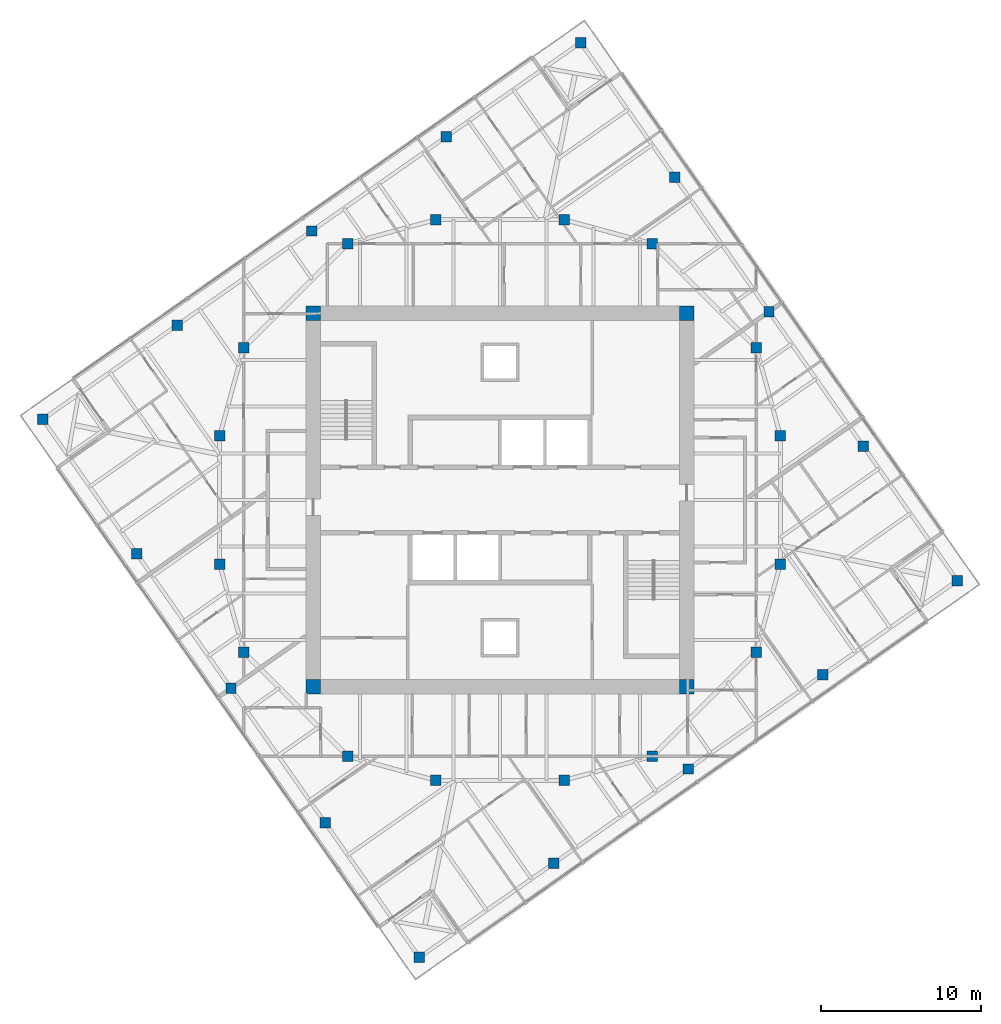
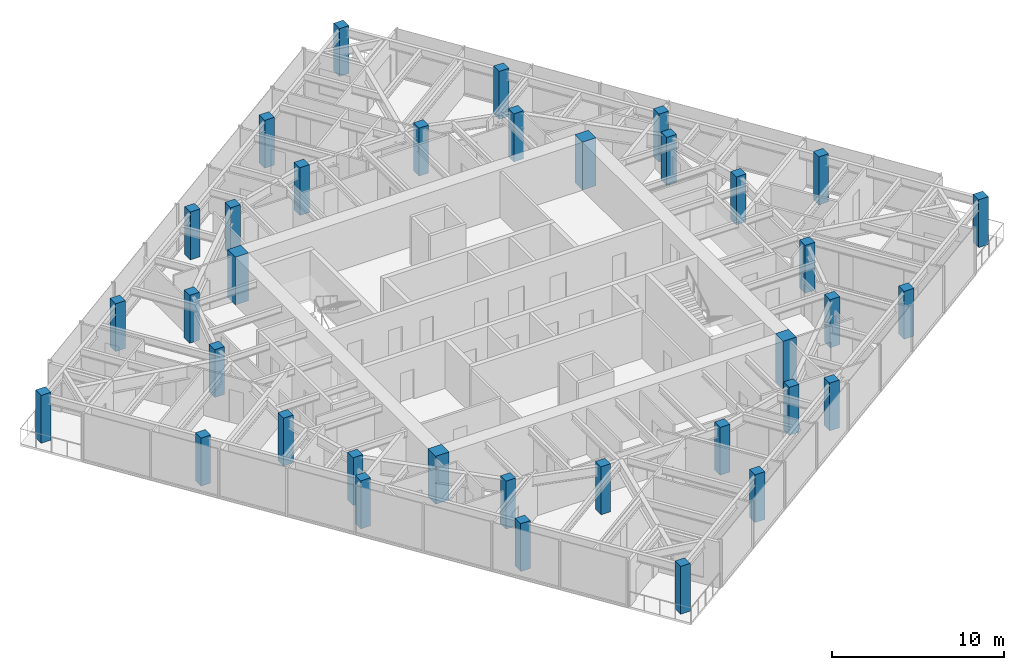
# One storey, part 1 of 12: 36 columns.
"""IFC4 building model written with IfcOpenShell, lengths in metres."""

import ifcopenshell
import ifcopenshell.guid

model = None  # the IFC model being written
_history = None  # IfcOwnerHistory: only IFC2X3 demands one
_inside = {}  # id of a spatial element -> (the spatial element, [elements in it])
_under = {}  # id of a project, library or spatial element -> (it, [spatial elements below it])
_declared = {}  # id of a project -> (the project, [libraries it declares])
_typed = {}  # id of a type object -> (the type object, [elements of that type])
_made_of = {}  # id of a material, layer set ... -> (it, [elements and type objects made of it])


def new_model(schema):
    """Start an empty IFC model of exactly this schema.

    Asked for "IFC4X3", IfcOpenShell would pick the latest addendum, in which some entities
    have other attributes; the version numbers below select the first issue.
    IFC2X3 requires an IfcOwnerHistory on every rooted entity: one is made here for all.
    """
    global model, _history
    if schema == "IFC4X3":
        model = ifcopenshell.file(schema_version=(4, 3, 0, 0))
    else:
        model = ifcopenshell.file(schema=schema)
    _inside.clear()
    _under.clear()
    _declared.clear()
    _typed.clear()
    _made_of.clear()
    _history = None
    if model.schema == "IFC2X3":
        org = make("IfcOrganization", Name="unknown")
        user = make(
            "IfcPersonAndOrganization",
            ThePerson=make("IfcPerson", FamilyName="unknown"),
            TheOrganization=org,
        )
        app = make(
            "IfcApplication",
            ApplicationDeveloper=org,
            Version="unknown",
            ApplicationFullName="unknown",
            ApplicationIdentifier="unknown",
        )
        _history = make(
            "IfcOwnerHistory",
            OwningUser=user,
            OwningApplication=app,
            ChangeAction="ADDED",
            CreationDate=0,
        )
    return model


def make(cls, **values):
    """One entity of the class cls with the attributes given. An attribute that is None is left unset."""
    return model.create_entity(
        cls, **{name: value for name, value in values.items() if value is not None}
    )


def rooted(cls, **values):
    """An entity with a GlobalId (a new one), such as an element, a storey or a relation."""
    return make(cls, GlobalId=ifcopenshell.guid.new(), OwnerHistory=_history, **values)


def si_unit(unit_type, name, prefix=None):
    """IfcSIUnit, for example si_unit("LENGTHUNIT", "METRE", prefix="MILLI")."""
    return make("IfcSIUnit", UnitType=unit_type, Prefix=prefix, Name=name)


def assignment(units):
    """IfcUnitAssignment: the units of a project."""
    return None if units is None else make("IfcUnitAssignment", Units=units)


def point(xyz):
    """IfcCartesianPoint."""
    return None if xyz is None else make("IfcCartesianPoint", Coordinates=xyz)


def direction(xyz):
    """IfcDirection."""
    return None if xyz is None else make("IfcDirection", DirectionRatios=xyz)


def frame(location, z_axis=None, x_axis=None):
    """IfcAxis2Placement3D, a coordinate frame: its origin and axes. An axis left out is left unset."""
    return make(
        "IfcAxis2Placement3D",
        Location=point(location),
        Axis=direction(z_axis),
        RefDirection=direction(x_axis),
    )


def frame_2d(location, x_axis=None):
    """IfcAxis2Placement2D, a coordinate frame in the plane: its origin and x axis."""
    return make(
        "IfcAxis2Placement2D", Location=point(location), RefDirection=direction(x_axis)
    )


def origin():
    """The frame at (0, 0, 0) with its axes left unset."""
    return frame((0.0, 0.0, 0.0))


def origin_2d():
    """The frame at (0, 0) in the plane with its x axis left unset."""
    return frame_2d((0.0, 0.0))


def place(relative_to, where):
    """IfcLocalPlacement: puts the frame where relative to a parent placement (None: the world)."""
    return make(
        "IfcLocalPlacement", PlacementRelTo=relative_to, RelativePlacement=where
    )


def context(
    kind, dimensions, precision=None, world=None, true_north=None, identifier=None
):
    """IfcGeometricRepresentationContext, for example the 3D "Model" context."""
    return make(
        "IfcGeometricRepresentationContext",
        ContextIdentifier=identifier,
        ContextType=kind,
        CoordinateSpaceDimension=dimensions,
        Precision=precision,
        WorldCoordinateSystem=world,
        TrueNorth=true_north,
    )


def subcontext(parent, identifier, kind, view, scale=None):
    """IfcGeometricRepresentationSubContext, for example "Body" below "Model"."""
    return make(
        "IfcGeometricRepresentationSubContext",
        ContextIdentifier=identifier,
        ContextType=kind,
        ParentContext=parent,
        TargetScale=scale,
        TargetView=view,
    )


def project(units=None, contexts=None):
    """IfcProject with its units and contexts."""
    return rooted(
        "IfcProject",
        Name="project",
        RepresentationContexts=contexts,
        UnitsInContext=assignment(units),
    )


def spatial(cls, under=None, at=None, **own):
    """A site, building, storey or space (cls), placed at a placement, below another one or the project."""
    s = rooted(cls, ObjectPlacement=at, **own)
    if under is not None:
        _under.setdefault(under.id(), (under, []))[1].append(s)
    return s


def profile(cls, at=None, kind="AREA", **sizes):
    """A parametric profile (cls). Its sizes go by their IFC names, for example OverallWidth=200.0."""
    return make(cls, ProfileType=kind, Position=at, **sizes)


def rectangle(**sizes):
    """IfcRectangleProfileDef."""
    return profile("IfcRectangleProfileDef", **sizes)


def extrude(swept, where, along, depth):
    """IfcExtrudedAreaSolid: the profile swept, set in the frame where, extruded along a direction by depth."""
    return make(
        "IfcExtrudedAreaSolid",
        SweptArea=swept,
        Position=where,
        ExtrudedDirection=direction(along),
        Depth=depth,
    )


def shape(context_of_items, identifier, shape_type, items):
    """IfcShapeRepresentation: the items that make up one representation, for example the "Body"."""
    return make(
        "IfcShapeRepresentation",
        ContextOfItems=context_of_items,
        RepresentationIdentifier=identifier,
        RepresentationType=shape_type,
        Items=items,
    )


def material(Name=None, Category=None):
    """IfcMaterial."""
    return make("IfcMaterial", Name=Name, Category=Category)


def material_profile(
    of_material, cross_section, Name=None, Category=None, Priority=None
):
    """IfcMaterialProfile: a cross section and its material."""
    return make(
        "IfcMaterialProfile",
        Name=Name,
        Material=of_material,
        Profile=cross_section,
        Priority=Priority,
        Category=Category,
    )


def profile_set(profiles, Name=None, composite=None):
    """IfcMaterialProfileSet."""
    return make(
        "IfcMaterialProfileSet",
        Name=Name,
        MaterialProfiles=profiles,
        CompositeProfile=composite,
    )


def made_of(thing, what):
    """Note that an element or type object is made of a material, layer set ...; save() writes the relation."""
    if what is not None:
        _made_of.setdefault(what.id(), (what, []))[1].append(thing)
    return thing


def type_object(cls, material=None, **own):
    """A type object (cls), such as IfcWallType, which elements share."""
    return made_of(rooted(cls, **own), material)


def element(
    cls,
    number,
    at=None,
    inside=None,
    cuts=None,
    type_object=None,
    material=None,
    context=None,
    identifier="Body",
    shape_type=None,
    held_by="IfcProductDefinitionShape",
    body=None,
    shapes=None,
    **own,
):
    """One element of the class cls, such as IfcWall. Its Tag is "e" and its number.

    at: its placement. inside: the storey or other place that contains it. cuts: it is an
    opening in that element (IfcRelVoidsElement). A single representation is given by context,
    identifier, shape_type and body (its items); several are given by shapes. held_by: the class
    of the entity that holds the representations. save() writes the other relations.
    """
    e = rooted(cls, Tag="e%d" % number, ObjectPlacement=at, **own)
    if body is not None:
        shapes = [shape(context, identifier, shape_type, body)]
    if shapes is not None:
        e.Representation = make(held_by, Representations=shapes)
    if inside is not None:
        _inside.setdefault(inside.id(), (inside, []))[1].append(e)
    if cuts is not None:
        rooted(
            "IfcRelVoidsElement", RelatingBuildingElement=cuts, RelatedOpeningElement=e
        )
    if type_object is not None:
        _typed.setdefault(type_object.id(), (type_object, []))[1].append(e)
    return made_of(e, material)


def aggregate(whole, parts):
    """IfcRelAggregates: a whole, such as a stair, and the parts it consists of."""
    return rooted("IfcRelAggregates", RelatingObject=whole, RelatedObjects=parts)


def save(model, path):
    """Write the relations noted so far, then the file.

    IfcRelAggregates (storeys below a building ...), IfcRelContainedInSpatialStructure (elements
    in a storey), IfcRelDefinesByType, IfcRelAssociatesMaterial and IfcRelDeclares: one each for
    every whole, place, type object, material and project.
    """
    for whole, parts in _under.values():
        aggregate(whole, parts)
    for where, things in _inside.values():
        rooted(
            "IfcRelContainedInSpatialStructure",
            RelatedElements=things,
            RelatingStructure=where,
        )
    for kind, things in _typed.values():
        rooted("IfcRelDefinesByType", RelatedObjects=things, RelatingType=kind)
    for what, things in _made_of.values():
        rooted("IfcRelAssociatesMaterial", RelatedObjects=things, RelatingMaterial=what)
    for by, libraries in _declared.values():
        rooted("IfcRelDeclares", RelatingContext=by, RelatedDefinitions=libraries)
    model.write(path)


model = new_model("IFC4")

# Units and contexts
model_context = context("Model", 3, precision=1e-05, world=origin(), true_north=direction((0.0, 1.0)))
body_context = subcontext(model_context, "Body", "Model", "MODEL_VIEW")
ifc_project = project(units=[si_unit("LENGTHUNIT", "METRE"), si_unit("AREAUNIT", "SQUARE_METRE"), si_unit("VOLUMEUNIT", "CUBIC_METRE"), si_unit("PLANEANGLEUNIT", "RADIAN"), si_unit("MASSUNIT", "GRAM", prefix="KILO")], contexts=[model_context])

# Site, building, storey
site_placement = place(None, origin())
site = spatial("IfcSite", under=ifc_project, at=site_placement, CompositionType="ELEMENT")
building_placement = place(site_placement, origin())
building = spatial("IfcBuilding", under=site, at=building_placement, Name="Torsade Residences", CompositionType="ELEMENT")
storey_placement = place(building_placement, frame((0.0, 0.0, 254.0)))
storey = spatial("IfcBuildingStorey", under=building, at=storey_placement, Name="L70", CompositionType="ELEMENT", Elevation=254.0)

# Columns
ifc_material_1 = material(Name="Concrete 80 MPa", Category="concrete")
ifc_material_profile_1 = material_profile(ifc_material_1, rectangle(XDim=0.89990234375, YDim=0.89990234375, at=origin_2d()), Name="RC 900x900")
ifc_profile_set_1 = profile_set([ifc_material_profile_1], Name="Concrete 80 MPa")
column_type_1 = type_object("IfcColumnType", Name="CORE CORNER COLUMN RC 900x900", PredefinedType="COLUMN", material=ifc_profile_set_1)
for number, where, z_axis, x_axis, name in (
    (1, (28.35009765625, 18.35009765625, 0.0), (0.0, 0.0, 1.0), (1.0, 0.0, 0.0), "Core corner column CC1 L70"),
    (2, (51.64990234375, 18.35009765625, 0.0), (0.0, 0.0, 1.0), (1.0, 0.0, 0.0), "Core corner column CC2 L70"),
    (3, (51.64990234375, 41.64990234375, 0.0), (0.0, 0.0, 1.0), (1.0, 0.0, 0.0), "Core corner column CC3 L70"),
    (4, (28.35009765625, 41.64990234375, 0.0), (0.0, 0.0, 1.0), (1.0, 0.0, 0.0), "Core corner column CC4 L70"),
):
    element("IfcColumn", number, at=place(storey_placement, frame(where, z_axis=z_axis, x_axis=x_axis)), inside=storey, type_object=column_type_1, Name=name, PredefinedType="COLUMN", context=body_context, shape_type="SweptSolid", body=[
        extrude(rectangle(XDim=0.89990234375, YDim=0.89990234375, at=origin_2d()), origin(), (0.0, 0.0, 1.0), 3.39990234375),
    ])
ifc_material_2 = material(Name="Concrete 80 MPa", Category="concrete")
ifc_material_profile_2 = material_profile(ifc_material_2, rectangle(XDim=0.64990234375, YDim=0.64990234375, at=origin_2d()), Name="RC 650x650")
ifc_profile_set_2 = profile_set([ifc_material_profile_2], Name="Concrete 80 MPa")
column_type_2 = type_object("IfcColumnType", Name="INNER RING COLUMN RC 650x650", PredefinedType="COLUMN", material=ifc_profile_set_2)
for number, where, z_axis, x_axis, name in (
    (5, (57.5, 26.0, 0.0), (0.0, 0.0, 1.0), (1.0, 0.0, 0.0), "Inner ring column IR01 L70"),
    (6, (57.5, 34.0, 0.0), (0.0, 0.0, 1.0), (1.0, 0.0, 0.0), "Inner ring column IR02 L70"),
    (7, (56.0, 39.5, 0.0), (0.0, 0.0, 1.0), (1.0, 0.0, 0.0), "Inner ring column IR03 L70"),
    (8, (49.5, 46.0, 0.0), (0.0, 0.0, 1.0), (1.0, 0.0, 0.0), "Inner ring column IR04 L70"),
    (9, (44.0, 47.5, 0.0), (0.0, 0.0, 1.0), (1.0, 0.0, 0.0), "Inner ring column IR05 L70"),
    (10, (36.0, 47.5, 0.0), (0.0, 0.0, 1.0), (1.0, 0.0, 0.0), "Inner ring column IR06 L70"),
    (11, (30.5, 46.0, 0.0), (0.0, 0.0, 1.0), (1.0, 0.0, 0.0), "Inner ring column IR07 L70"),
    (12, (24.0, 39.5, 0.0), (0.0, 0.0, 1.0), (1.0, 0.0, 0.0), "Inner ring column IR08 L70"),
    (13, (22.5, 34.0, 0.0), (0.0, 0.0, 1.0), (1.0, 0.0, 0.0), "Inner ring column IR09 L70"),
    (14, (22.5, 26.0, 0.0), (0.0, 0.0, 1.0), (1.0, 0.0, 0.0), "Inner ring column IR10 L70"),
    (15, (24.0, 20.5, 0.0), (0.0, 0.0, 1.0), (1.0, 0.0, 0.0), "Inner ring column IR11 L70"),
    (16, (30.5, 14.0, 0.0), (0.0, 0.0, 1.0), (1.0, 0.0, 0.0), "Inner ring column IR12 L70"),
    (17, (36.0, 12.5, 0.0), (0.0, 0.0, 1.0), (1.0, 0.0, 0.0), "Inner ring column IR13 L70"),
    (18, (44.0, 12.5, 0.0), (0.0, 0.0, 1.0), (1.0, 0.0, 0.0), "Inner ring column IR14 L70"),
    (19, (49.5, 14.0, 0.0), (0.0, 0.0, 1.0), (1.0, 0.0, 0.0), "Inner ring column IR15 L70"),
    (20, (56.0, 20.5, 0.0), (0.0, 0.0, 1.0), (1.0, 0.0, 0.0), "Inner ring column IR16 L70"),
):
    element("IfcColumn", number, at=place(storey_placement, frame(where, z_axis=z_axis, x_axis=x_axis)), inside=storey, type_object=column_type_2, Name=name, PredefinedType="COLUMN", context=body_context, shape_type="SweptSolid", body=[
        extrude(rectangle(XDim=0.64990234375, YDim=0.64990234375, at=origin_2d()), origin(), (0.0, 0.0, 1.0), 3.39990234375),
    ])
ifc_material_3 = material(Name="Concrete 80 MPa", Category="concrete")
ifc_material_profile_3 = material_profile(ifc_material_3, rectangle(XDim=0.64990234375, YDim=0.64990234375, at=origin_2d()), Name="RC 650x650")
ifc_profile_set_3 = profile_set([ifc_material_profile_3], Name="Concrete 80 MPa")
column_type_3 = type_object("IfcColumnType", Name="TOWER COLUMN RC 650x650", PredefinedType="COLUMN", material=ifc_profile_set_3)
for number, where, z_axis, x_axis, name in (
    (21, (34.9658203125, 1.448974609375, 0.0), (0.0, 0.0, 1.0), (1.0, 0.0, 0.0), "Column TC8-01 L70"),
    (22, (43.362060546875, 7.328125, 0.0), (0.0, 0.0, 1.0), (1.0, 0.0, 0.0), "Column TC8-02 L70"),
    (23, (51.75830078125, 13.207275390625, 0.0), (0.0, 0.0, 1.0), (1.0, 0.0, 0.0), "Column TC8-03 L70"),
    (24, (60.154541015625, 19.08642578125, 0.0), (0.0, 0.0, 1.0), (1.0, 0.0, 0.0), "Column TC8-04 L70"),
    (25, (68.551025390625, 24.9658203125, 0.0), (0.0, 0.0, 1.0), (1.0, 0.0, 0.0), "Column TC8-05 L70"),
    (26, (62.671875, 33.362060546875, 0.0), (0.0, 0.0, 1.0), (1.0, 0.0, 0.0), "Column TC8-06 L70"),
    (27, (56.792724609375, 41.75830078125, 0.0), (0.0, 0.0, 1.0), (1.0, 0.0, 0.0), "Column TC8-07 L70"),
    (28, (50.91357421875, 50.154541015625, 0.0), (0.0, 0.0, 1.0), (1.0, 0.0, 0.0), "Column TC8-08 L70"),
    (29, (45.0341796875, 58.551025390625, 0.0), (0.0, 0.0, 1.0), (1.0, 0.0, 0.0), "Column TC8-09 L70"),
    (30, (36.637939453125, 52.671875, 0.0), (0.0, 0.0, 1.0), (1.0, 0.0, 0.0), "Column TC8-10 L70"),
    (31, (28.24169921875, 46.792724609375, 0.0), (0.0, 0.0, 1.0), (1.0, 0.0, 0.0), "Column TC8-11 L70"),
    (32, (19.845458984375, 40.91357421875, 0.0), (0.0, 0.0, 1.0), (1.0, 0.0, 0.0), "Column TC8-12 L70"),
    (33, (11.448974609375, 35.0341796875, 0.0), (0.0, 0.0, 1.0), (1.0, 0.0, 0.0), "Column TC8-13 L70"),
    (34, (17.328125, 26.637939453125, 0.0), (0.0, 0.0, 1.0), (1.0, 0.0, 0.0), "Column TC8-14 L70"),
    (35, (23.207275390625, 18.24169921875, 0.0), (0.0, 0.0, 1.0), (1.0, 0.0, 0.0), "Column TC8-15 L70"),
    (36, (29.08642578125, 9.845458984375, 0.0), (0.0, 0.0, 1.0), (1.0, 0.0, 0.0), "Column TC8-16 L70"),
):
    element("IfcColumn", number, at=place(storey_placement, frame(where, z_axis=z_axis, x_axis=x_axis)), inside=storey, type_object=column_type_3, Name=name, PredefinedType="COLUMN", context=body_context, shape_type="SweptSolid", body=[
        extrude(rectangle(XDim=0.64990234375, YDim=0.64990234375, at=origin_2d()), origin(), (0.0, 0.0, 1.0), 3.39990234375),
    ])

save(model, "model.ifc")
